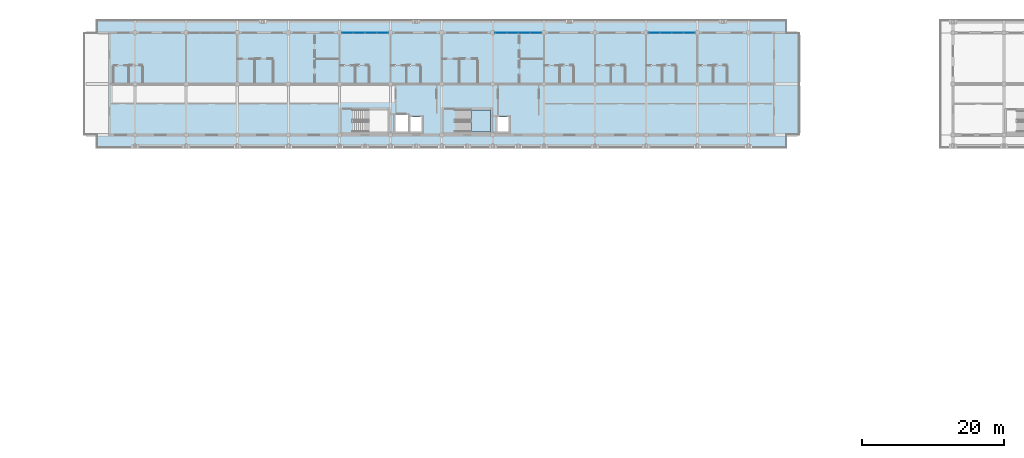
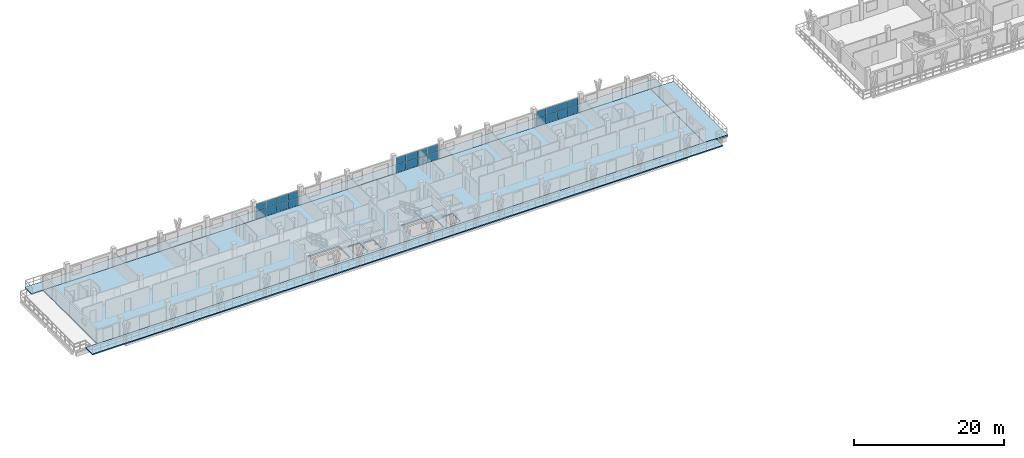
# One storey, part 30 of 67: 24 plates, 5 slabs, 4 elements without a shape of their own.
"""IFC4 building model written with IfcOpenShell, lengths in metres."""

from ifc_helpers import new_model, si_unit, direction, frame, origin, origin_2d, place, context, subcontext, project, spatial, polyline, rectangle, outline, extrude, material, layer, layer_set, type_object, element, aggregate, save


model = new_model("IFC4")

# Units and contexts
model_context = context("Model", 3, precision=1e-05, world=origin(), true_north=direction((0.0, 1.0)))
body_context = subcontext(model_context, "Body", "Model", "MODEL_VIEW")
ifc_project = project(units=[si_unit("LENGTHUNIT", "METRE"), si_unit("AREAUNIT", "SQUARE_METRE"), si_unit("VOLUMEUNIT", "CUBIC_METRE"), si_unit("PLANEANGLEUNIT", "RADIAN"), si_unit("MASSUNIT", "GRAM", prefix="KILO")], contexts=[model_context])

# Site, building, storey
site_placement = place(None, origin())
site = spatial("IfcSite", under=ifc_project, at=site_placement, CompositionType="ELEMENT")
building_placement = place(site_placement, origin())
building = spatial("IfcBuilding", under=site, at=building_placement, Name="Suanplinth Sawtooth Commons", CompositionType="ELEMENT")
storey_placement = place(building_placement, frame((0.0, 0.0, 25.10009765625)))
storey = spatial("IfcBuildingStorey", under=building, at=storey_placement, Name="L07", CompositionType="ELEMENT", Elevation=25.10009765625)

# Curtain wall, plates
ifc_material_1 = material(Name="Anodized aluminium and low-E glazing", Category="aluminium")
curtain_wall_type = type_object("IfcCurtainWallType", Name="CW-06", PredefinedType="USERDEFINED", material=ifc_material_1)
curtain_wall_1_placement = place(storey_placement, origin())
curtain_wall_1 = element("IfcCurtainWall", 1, at=curtain_wall_1_placement, inside=storey, type_object=curtain_wall_type, Name="Curtain Wall CW-L07-A-LOUNGE-5", ObjectType="CURTAIN WALL", PredefinedType="USERDEFINED")
ifc_material_2 = material(Name="Tempered low-E double glazing", Category="glass")
ifc_layer_1 = layer(ifc_material_2, 0.028076171875, Name="Vision low-E insulated glazing unit 28mm")
ifc_layer_set_1 = layer_set([ifc_layer_1], Name="Tempered low-E double glazing")
plate_type = type_object("IfcPlateType", Name="PL-05", PredefinedType="CURTAIN_PANEL", material=ifc_layer_set_1)
plate_1_placement = place(storey_placement, frame((44.34130859375, 122.39990234375, 0.06494140625), z_axis=(0.0, 0.0, 1.0), x_axis=(1.0, 0.0, 0.0)))
plate_1 = element("IfcPlate", 2, at=plate_1_placement, type_object=plate_type, Name="CW-06 panel 1.1", PredefinedType="CURTAIN_PANEL", context=body_context, shape_type="SweptSolid", body=[
    extrude(rectangle(XDim=1.552490234375, YDim=0.028076171875, at=origin_2d()), origin(), (0.0, 0.0, 1.0), 1.172607421875),
])
plate_2_placement = place(storey_placement, frame((44.34130859375, 122.39990234375, 1.30224609375), z_axis=(0.0, 0.0, 1.0), x_axis=(1.0, 0.0, 0.0)))
plate_2 = element("IfcPlate", 3, at=plate_2_placement, type_object=plate_type, Name="CW-06 panel 1.2", PredefinedType="CURTAIN_PANEL", context=body_context, shape_type="SweptSolid", body=[
    extrude(rectangle(XDim=1.552490234375, YDim=0.028076171875, at=origin_2d()), origin(), (0.0, 0.0, 1.0), 1.172607421875),
])
plate_3_placement = place(storey_placement, frame((45.97509765625, 122.39990234375, 0.06494140625), z_axis=(0.0, 0.0, 1.0), x_axis=(1.0, 0.0, 0.0)))
plate_3 = element("IfcPlate", 4, at=plate_3_placement, type_object=plate_type, Name="CW-06 panel 2.1", PredefinedType="CURTAIN_PANEL", context=body_context, shape_type="SweptSolid", body=[
    extrude(rectangle(XDim=1.5849609375, YDim=0.028076171875, at=origin_2d()), origin(), (0.0, 0.0, 1.0), 1.172607421875),
])
plate_4_placement = place(storey_placement, frame((45.97509765625, 122.39990234375, 1.30224609375), z_axis=(0.0, 0.0, 1.0), x_axis=(1.0, 0.0, 0.0)))
plate_4 = element("IfcPlate", 5, at=plate_4_placement, type_object=plate_type, Name="CW-06 panel 2.2", PredefinedType="CURTAIN_PANEL", context=body_context, shape_type="SweptSolid", body=[
    extrude(rectangle(XDim=1.5849609375, YDim=0.028076171875, at=origin_2d()), origin(), (0.0, 0.0, 1.0), 1.172607421875),
])
plate_5_placement = place(storey_placement, frame((47.625, 122.39990234375, 0.06494140625), z_axis=(0.0, 0.0, 1.0), x_axis=(1.0, 0.0, 0.0)))
plate_5 = element("IfcPlate", 6, at=plate_5_placement, type_object=plate_type, Name="CW-06 panel 3.1", PredefinedType="CURTAIN_PANEL", context=body_context, shape_type="SweptSolid", body=[
    extrude(rectangle(XDim=1.5849609375, YDim=0.028076171875, at=origin_2d()), origin(), (0.0, 0.0, 1.0), 1.172607421875),
])
plate_6_placement = place(storey_placement, frame((47.625, 122.39990234375, 1.30224609375), z_axis=(0.0, 0.0, 1.0), x_axis=(1.0, 0.0, 0.0)))
plate_6 = element("IfcPlate", 7, at=plate_6_placement, type_object=plate_type, Name="CW-06 panel 3.2", PredefinedType="CURTAIN_PANEL", context=body_context, shape_type="SweptSolid", body=[
    extrude(rectangle(XDim=1.5849609375, YDim=0.028076171875, at=origin_2d()), origin(), (0.0, 0.0, 1.0), 1.172607421875),
])
plate_7_placement = place(storey_placement, frame((49.2587890625, 122.39990234375, 0.06494140625), z_axis=(0.0, 0.0, 1.0), x_axis=(1.0, 0.0, 0.0)))
plate_7 = element("IfcPlate", 8, at=plate_7_placement, type_object=plate_type, Name="CW-06 panel 4.1", PredefinedType="CURTAIN_PANEL", context=body_context, shape_type="SweptSolid", body=[
    extrude(rectangle(XDim=1.552490234375, YDim=0.028076171875, at=origin_2d()), origin(), (0.0, 0.0, 1.0), 1.172607421875),
])
plate_8_placement = place(storey_placement, frame((49.2587890625, 122.39990234375, 1.30224609375), z_axis=(0.0, 0.0, 1.0), x_axis=(1.0, 0.0, 0.0)))
plate_8 = element("IfcPlate", 9, at=plate_8_placement, type_object=plate_type, Name="CW-06 panel 4.2", PredefinedType="CURTAIN_PANEL", context=body_context, shape_type="SweptSolid", body=[
    extrude(rectangle(XDim=1.552490234375, YDim=0.028076171875, at=origin_2d()), origin(), (0.0, 0.0, 1.0), 1.172607421875),
])
aggregate(curtain_wall_1, [plate_1, plate_2, plate_3, plate_4, plate_5, plate_6, plate_7, plate_8])

curtain_wall_2_placement = place(storey_placement, origin())
curtain_wall_2 = element("IfcCurtainWall", 10, at=curtain_wall_2_placement, inside=storey, type_object=curtain_wall_type, Name="Curtain Wall CW-L07-A-LOUNGE-8", ObjectType="CURTAIN WALL", PredefinedType="USERDEFINED")
plate_9_placement = place(storey_placement, frame((65.941162109375, 122.39990234375, 0.06494140625), z_axis=(0.0, 0.0, 1.0), x_axis=(1.0, 0.0, 0.0)))
plate_9 = element("IfcPlate", 11, at=plate_9_placement, type_object=plate_type, Name="CW-06 panel 1.1", PredefinedType="CURTAIN_PANEL", context=body_context, shape_type="SweptSolid", body=[
    extrude(rectangle(XDim=1.552490234375, YDim=0.028076171875, at=origin_2d()), origin(), (0.0, 0.0, 1.0), 1.172607421875),
])
plate_10_placement = place(storey_placement, frame((65.941162109375, 122.39990234375, 1.30224609375), z_axis=(0.0, 0.0, 1.0), x_axis=(1.0, 0.0, 0.0)))
plate_10 = element("IfcPlate", 12, at=plate_10_placement, type_object=plate_type, Name="CW-06 panel 1.2", PredefinedType="CURTAIN_PANEL", context=body_context, shape_type="SweptSolid", body=[
    extrude(rectangle(XDim=1.552490234375, YDim=0.028076171875, at=origin_2d()), origin(), (0.0, 0.0, 1.0), 1.172607421875),
])
plate_11_placement = place(storey_placement, frame((67.574951171875, 122.39990234375, 0.06494140625), z_axis=(0.0, 0.0, 1.0), x_axis=(1.0, 0.0, 0.0)))
plate_11 = element("IfcPlate", 13, at=plate_11_placement, type_object=plate_type, Name="CW-06 panel 2.1", PredefinedType="CURTAIN_PANEL", context=body_context, shape_type="SweptSolid", body=[
    extrude(rectangle(XDim=1.5849609375, YDim=0.028076171875, at=origin_2d()), origin(), (0.0, 0.0, 1.0), 1.172607421875),
])
plate_12_placement = place(storey_placement, frame((67.574951171875, 122.39990234375, 1.30224609375), z_axis=(0.0, 0.0, 1.0), x_axis=(1.0, 0.0, 0.0)))
plate_12 = element("IfcPlate", 14, at=plate_12_placement, type_object=plate_type, Name="CW-06 panel 2.2", PredefinedType="CURTAIN_PANEL", context=body_context, shape_type="SweptSolid", body=[
    extrude(rectangle(XDim=1.5849609375, YDim=0.028076171875, at=origin_2d()), origin(), (0.0, 0.0, 1.0), 1.172607421875),
])
plate_13_placement = place(storey_placement, frame((69.22509765625, 122.39990234375, 0.06494140625), z_axis=(0.0, 0.0, 1.0), x_axis=(1.0, 0.0, 0.0)))
plate_13 = element("IfcPlate", 15, at=plate_13_placement, type_object=plate_type, Name="CW-06 panel 3.1", PredefinedType="CURTAIN_PANEL", context=body_context, shape_type="SweptSolid", body=[
    extrude(rectangle(XDim=1.5849609375, YDim=0.028076171875, at=origin_2d()), origin(), (0.0, 0.0, 1.0), 1.172607421875),
])
plate_14_placement = place(storey_placement, frame((69.22509765625, 122.39990234375, 1.30224609375), z_axis=(0.0, 0.0, 1.0), x_axis=(1.0, 0.0, 0.0)))
plate_14 = element("IfcPlate", 16, at=plate_14_placement, type_object=plate_type, Name="CW-06 panel 3.2", PredefinedType="CURTAIN_PANEL", context=body_context, shape_type="SweptSolid", body=[
    extrude(rectangle(XDim=1.5849609375, YDim=0.028076171875, at=origin_2d()), origin(), (0.0, 0.0, 1.0), 1.172607421875),
])
plate_15_placement = place(storey_placement, frame((70.858642578125, 122.39990234375, 0.06494140625), z_axis=(0.0, 0.0, 1.0), x_axis=(1.0, 0.0, 0.0)))
plate_15 = element("IfcPlate", 17, at=plate_15_placement, type_object=plate_type, Name="CW-06 panel 4.1", PredefinedType="CURTAIN_PANEL", context=body_context, shape_type="SweptSolid", body=[
    extrude(rectangle(XDim=1.552490234375, YDim=0.028076171875, at=origin_2d()), origin(), (0.0, 0.0, 1.0), 1.172607421875),
])
plate_16_placement = place(storey_placement, frame((70.858642578125, 122.39990234375, 1.30224609375), z_axis=(0.0, 0.0, 1.0), x_axis=(1.0, 0.0, 0.0)))
plate_16 = element("IfcPlate", 18, at=plate_16_placement, type_object=plate_type, Name="CW-06 panel 4.2", PredefinedType="CURTAIN_PANEL", context=body_context, shape_type="SweptSolid", body=[
    extrude(rectangle(XDim=1.552490234375, YDim=0.028076171875, at=origin_2d()), origin(), (0.0, 0.0, 1.0), 1.172607421875),
])
aggregate(curtain_wall_2, [plate_9, plate_10, plate_11, plate_12, plate_13, plate_14, plate_15, plate_16])

curtain_wall_3_placement = place(storey_placement, origin())
curtain_wall_3 = element("IfcCurtainWall", 19, at=curtain_wall_3_placement, inside=storey, type_object=curtain_wall_type, Name="Curtain Wall CW-L07-A-LOUNGE-11", ObjectType="CURTAIN WALL", PredefinedType="USERDEFINED")
plate_17_placement = place(storey_placement, frame((87.541259765625, 122.39990234375, 0.06494140625), z_axis=(0.0, 0.0, 1.0), x_axis=(1.0, 0.0, 0.0)))
plate_17 = element("IfcPlate", 20, at=plate_17_placement, type_object=plate_type, Name="CW-06 panel 1.1", PredefinedType="CURTAIN_PANEL", context=body_context, shape_type="SweptSolid", body=[
    extrude(rectangle(XDim=1.552490234375, YDim=0.028076171875, at=origin_2d()), origin(), (0.0, 0.0, 1.0), 1.172607421875),
])
plate_18_placement = place(storey_placement, frame((87.541259765625, 122.39990234375, 1.30224609375), z_axis=(0.0, 0.0, 1.0), x_axis=(1.0, 0.0, 0.0)))
plate_18 = element("IfcPlate", 21, at=plate_18_placement, type_object=plate_type, Name="CW-06 panel 1.2", PredefinedType="CURTAIN_PANEL", context=body_context, shape_type="SweptSolid", body=[
    extrude(rectangle(XDim=1.552490234375, YDim=0.028076171875, at=origin_2d()), origin(), (0.0, 0.0, 1.0), 1.172607421875),
])
plate_19_placement = place(storey_placement, frame((89.175048828125, 122.39990234375, 0.06494140625), z_axis=(0.0, 0.0, 1.0), x_axis=(1.0, 0.0, 0.0)))
plate_19 = element("IfcPlate", 22, at=plate_19_placement, type_object=plate_type, Name="CW-06 panel 2.1", PredefinedType="CURTAIN_PANEL", context=body_context, shape_type="SweptSolid", body=[
    extrude(rectangle(XDim=1.5849609375, YDim=0.028076171875, at=origin_2d()), origin(), (0.0, 0.0, 1.0), 1.172607421875),
])
plate_20_placement = place(storey_placement, frame((89.175048828125, 122.39990234375, 1.30224609375), z_axis=(0.0, 0.0, 1.0), x_axis=(1.0, 0.0, 0.0)))
plate_20 = element("IfcPlate", 23, at=plate_20_placement, type_object=plate_type, Name="CW-06 panel 2.2", PredefinedType="CURTAIN_PANEL", context=body_context, shape_type="SweptSolid", body=[
    extrude(rectangle(XDim=1.5849609375, YDim=0.028076171875, at=origin_2d()), origin(), (0.0, 0.0, 1.0), 1.172607421875),
])
plate_21_placement = place(storey_placement, frame((90.824951171875, 122.39990234375, 0.06494140625), z_axis=(0.0, 0.0, 1.0), x_axis=(1.0, 0.0, 0.0)))
plate_21 = element("IfcPlate", 24, at=plate_21_placement, type_object=plate_type, Name="CW-06 panel 3.1", PredefinedType="CURTAIN_PANEL", context=body_context, shape_type="SweptSolid", body=[
    extrude(rectangle(XDim=1.5849609375, YDim=0.028076171875, at=origin_2d()), origin(), (0.0, 0.0, 1.0), 1.172607421875),
])
plate_22_placement = place(storey_placement, frame((90.824951171875, 122.39990234375, 1.30224609375), z_axis=(0.0, 0.0, 1.0), x_axis=(1.0, 0.0, 0.0)))
plate_22 = element("IfcPlate", 25, at=plate_22_placement, type_object=plate_type, Name="CW-06 panel 3.2", PredefinedType="CURTAIN_PANEL", context=body_context, shape_type="SweptSolid", body=[
    extrude(rectangle(XDim=1.5849609375, YDim=0.028076171875, at=origin_2d()), origin(), (0.0, 0.0, 1.0), 1.172607421875),
])
plate_23_placement = place(storey_placement, frame((92.458740234375, 122.39990234375, 0.06494140625), z_axis=(0.0, 0.0, 1.0), x_axis=(1.0, 0.0, 0.0)))
plate_23 = element("IfcPlate", 26, at=plate_23_placement, type_object=plate_type, Name="CW-06 panel 4.1", PredefinedType="CURTAIN_PANEL", context=body_context, shape_type="SweptSolid", body=[
    extrude(rectangle(XDim=1.552490234375, YDim=0.028076171875, at=origin_2d()), origin(), (0.0, 0.0, 1.0), 1.172607421875),
])
plate_24_placement = place(storey_placement, frame((92.458740234375, 122.39990234375, 1.30224609375), z_axis=(0.0, 0.0, 1.0), x_axis=(1.0, 0.0, 0.0)))
plate_24 = element("IfcPlate", 27, at=plate_24_placement, type_object=plate_type, Name="CW-06 panel 4.2", PredefinedType="CURTAIN_PANEL", context=body_context, shape_type="SweptSolid", body=[
    extrude(rectangle(XDim=1.552490234375, YDim=0.028076171875, at=origin_2d()), origin(), (0.0, 0.0, 1.0), 1.172607421875),
])
aggregate(curtain_wall_3, [plate_17, plate_18, plate_19, plate_20, plate_21, plate_22, plate_23, plate_24])

# Slabs
ifc_material_3 = material(Name="Precast concrete C40/50", Category="concrete")
ifc_layer_2 = layer(ifc_material_3, 0.179931640625, Name="Wrap-around cantilevered precast balcony slab 180mm")
ifc_layer_set_2 = layer_set([ifc_layer_2], Name="Precast concrete C40/50")
slab_type_1 = type_object("IfcSlabType", Name="S-BL01", PredefinedType="FLOOR", material=ifc_layer_set_2)
slab_1_placement = place(storey_placement, frame((0.0, 0.0, -0.18017578125)))
element("IfcSlab", 28, at=slab_1_placement, inside=storey, type_object=slab_type_1, Name="L07 Block A Wrap-Around Balcony N", PredefinedType="FLOOR", context=body_context, shape_type="SweptSolid", body=[
    extrude(outline(polyline([(9.0, 124.199951171875), (106.199951171875, 124.199951171875), (106.199951171875, 122.39990234375), (9.0, 122.39990234375), (9.0, 124.199951171875)])), origin(), (0.0, 0.0, 1.0), 0.18017578125),
])
slab_2_placement = place(storey_placement, frame((0.0, 0.0, -0.18017578125)))
element("IfcSlab", 29, at=slab_2_placement, inside=storey, type_object=slab_type_1, Name="L07 Block A Wrap-Around Balcony S", PredefinedType="FLOOR", context=body_context, shape_type="SweptSolid", body=[
    extrude(outline(polyline([(106.199951171875, 106.199951171875), (9.0, 106.199951171875), (9.0, 108.0), (106.199951171875, 108.0), (106.199951171875, 106.199951171875)])), origin(), (0.0, 0.0, 1.0), 0.18017578125),
])
ifc_layer_3 = layer(ifc_material_3, 0.219970703125, Name="Precast hollow-core + topping floor slab 220mm")
ifc_layer_set_3 = layer_set([ifc_layer_3], Name="Precast concrete C40/50")
slab_type_2 = type_object("IfcSlabType", Name="S-FL03", PredefinedType="FLOOR", material=ifc_layer_set_3)
slab_3_placement = place(storey_placement, frame((0.0, 0.0, -0.22021484375)))
element("IfcSlab", 30, at=slab_3_placement, inside=storey, type_object=slab_type_2, Name="L07 Block A Structural Floor Plate", PredefinedType="FLOOR", context=body_context, shape_type="SweptSolid", body=[
    extrude(outline(polyline([(10.800048828125, 108.0), (104.39990234375, 108.0), (104.39990234375, 122.39990234375), (10.800048828125, 122.39990234375), (10.800048828125, 108.0)]), holes=[polyline([(45.2900390625, 108.449951171875), (50.050048828125, 108.449951171875), (50.050048828125, 111.550048828125), (45.2900390625, 111.550048828125), (45.2900390625, 108.449951171875)]), polyline([(51.050048828125, 108.449951171875), (52.85009765625, 108.449951171875), (52.85009765625, 110.85009765625), (51.050048828125, 110.85009765625), (51.050048828125, 108.449951171875)]), polyline([(53.199951171875, 108.449951171875), (54.800048828125, 108.449951171875), (54.800048828125, 110.550048828125), (53.199951171875, 110.550048828125), (53.199951171875, 108.449951171875)]), polyline([(59.68994140625, 108.449951171875), (64.449951171875, 108.449951171875), (64.449951171875, 111.550048828125), (59.68994140625, 111.550048828125), (59.68994140625, 108.449951171875)]), polyline([(65.449951171875, 108.449951171875), (67.050048828125, 108.449951171875), (67.050048828125, 110.550048828125), (65.449951171875, 110.550048828125), (65.449951171875, 108.449951171875)])]), origin(), (0.0, 0.0, 1.0), 0.22021484375),
])

# Stair, slab
ifc_material_4 = material(Name="Concrete C40/50", Category="concrete")
stair_type = type_object("IfcStairType", Name="ST-03", PredefinedType="USERDEFINED", material=ifc_material_4)
stair_placement = place(storey_placement, origin())
stair = element("IfcStair", 31, at=stair_placement, inside=storey, type_object=stair_type, Name="L07 Exit Stair ST-N2", ObjectType="TWO_RETURN_STAIR", PredefinedType="USERDEFINED")
ifc_layer_4 = layer(ifc_material_4, 0.199951171875, Name="Reinforced concrete stair and ramp landing slab 200mm")
ifc_layer_set_4 = layer_set([ifc_layer_4], Name="Concrete C40/50")
slab_type_3 = type_object("IfcSlabType", Name="S-LD01", PredefinedType="LANDING", material=ifc_layer_set_4)
slab_4_placement = place(storey_placement, frame((0.0, 0.0, 1.39990234375)))
slab_4 = element("IfcSlab", 32, at=slab_4_placement, type_object=slab_type_3, Name="ST-03 landing 1", PredefinedType="LANDING", context=body_context, shape_type="SweptSolid", body=[
    extrude(outline(polyline([(61.72998046875, 108.449951171875), (64.449951171875, 108.449951171875), (64.449951171875, 111.550048828125), (61.72998046875, 111.550048828125), (61.72998046875, 108.449951171875)])), origin(), (0.0, 0.0, 1.0), 0.199951171875),
])
aggregate(stair, [slab_4])

# Slab
ifc_layer_5 = layer(ifc_material_4, 0.239990234375, Name="Stepped sky-terrace & courtyard garden slab 240mm")
ifc_layer_set_5 = layer_set([ifc_layer_5], Name="Concrete C40/50")
slab_type_4 = type_object("IfcSlabType", Name="S-TR01", PredefinedType="FLOOR", material=ifc_layer_set_5)
slab_5_placement = place(storey_placement, frame((0.0, 0.0, -0.239990234375)))
element("IfcSlab", 33, at=slab_5_placement, inside=storey, type_object=slab_type_4, Name="L07 Block A Stepped Sky-Terrace 2", PredefinedType="FLOOR", context=body_context, shape_type="SweptSolid", body=[
    extrude(outline(polyline([(108.0, 122.39990234375), (108.0, 108.0), (104.39990234375, 108.0), (104.39990234375, 122.39990234375), (108.0, 122.39990234375)])), origin(), (0.0, 0.0, 1.0), 0.239990234375),
])

save(model, "model.ifc")
